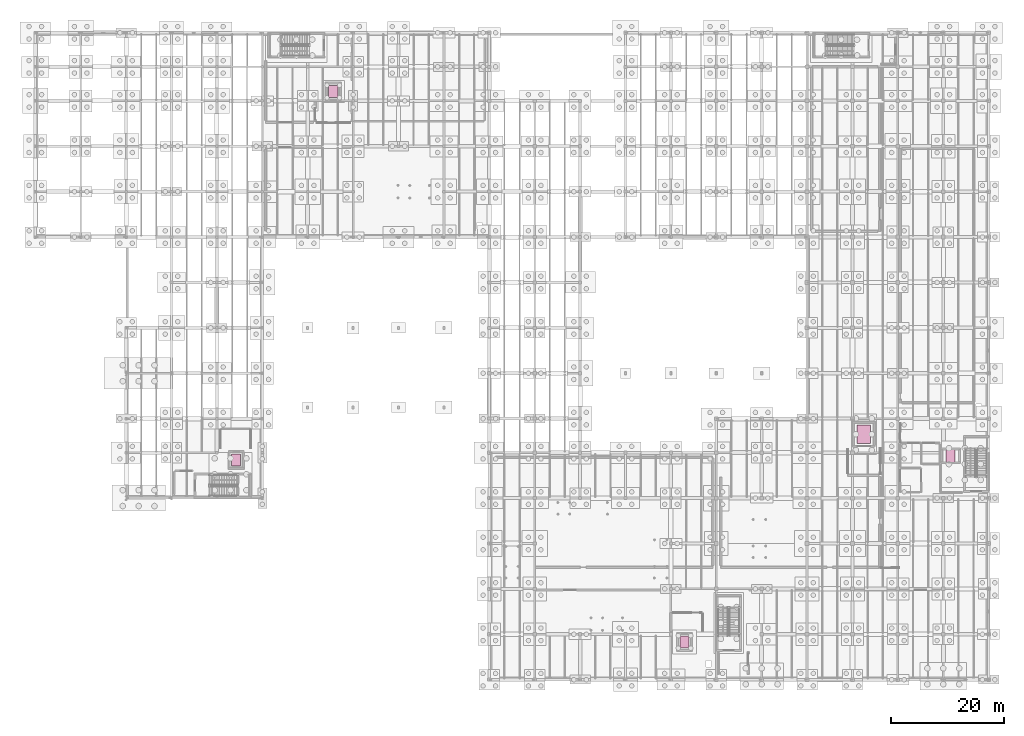
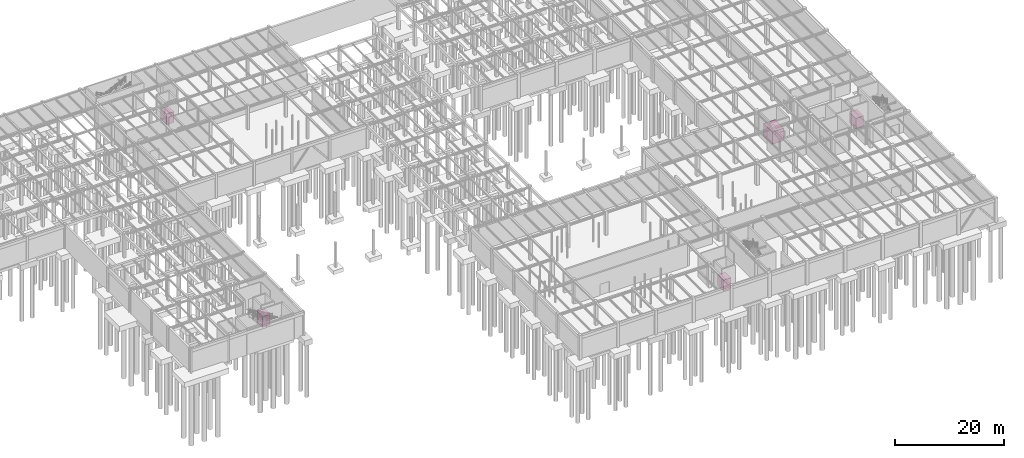
# One storey, part 71 of 71: 5 transport elements.
"""IFC4 building model written with IfcOpenShell, lengths in metres."""

from ifc_helpers import new_model, si_unit, direction, frame, origin, origin_2d, place, context, subcontext, project, spatial, rectangle, extrude, material, type_object, element, save


model = new_model("IFC4")

# Units and contexts
model_context = context("Model", 3, precision=1e-05, world=origin(), true_north=direction((0.0, 1.0)))
body_context = subcontext(model_context, "Body", "Model", "MODEL_VIEW")
ifc_project = project(units=[si_unit("LENGTHUNIT", "METRE"), si_unit("AREAUNIT", "SQUARE_METRE"), si_unit("VOLUMEUNIT", "CUBIC_METRE"), si_unit("PLANEANGLEUNIT", "RADIAN"), si_unit("MASSUNIT", "GRAM", prefix="KILO")], contexts=[model_context])

# Site, building, storey
site_placement = place(None, origin())
site = spatial("IfcSite", under=ifc_project, at=site_placement, CompositionType="ELEMENT")
building_placement = place(site_placement, origin())
building = spatial("IfcBuilding", under=site, at=building_placement, Name="Sundkrona Museum", CompositionType="ELEMENT")
storey_placement = place(building_placement, frame((0.0, 0.0, -5.39990234375)))
storey = spatial("IfcBuildingStorey", under=building, at=storey_placement, Name="B1", CompositionType="ELEMENT", Elevation=-5.39990234375)

# Transport elements
ifc_material_1 = material(Name="Brushed Stainless Steel Lift Car", Category="steel")
transport_element_type_1 = type_object("IfcTransportElementType", Name="LIFT-FF-1600", PredefinedType="ELEVATOR", material=ifc_material_1)
transport_element_1_placement = place(storey_placement, frame((161.300048828125, 39.449951171875, 0.0), z_axis=(0.0, 0.0, 1.0), x_axis=(1.0, 0.0, 0.0)))
element("IfcTransportElement", 1, at=transport_element_1_placement, inside=storey, type_object=transport_element_type_1, Name="Firefighters Passenger Lift PL-1", PredefinedType="ELEVATOR", context=body_context, shape_type="SweptSolid", body=[
    extrude(rectangle(XDim=1.60009765625, YDim=2.39990234375, at=origin_2d()), origin(), (0.0, 0.0, 1.0), 2.39990234375),
])
ifc_material_2 = material(Name="Heavy Stainless Steel Art-Handling Goods Lift Car", Category="steel")
transport_element_type_2 = type_object("IfcTransportElementType", Name="LIFT-GOODS-4500", PredefinedType="ELEVATOR", material=ifc_material_2)
transport_element_2_placement = place(storey_placement, frame((146.0, 43.25, 0.0), z_axis=(0.0, 0.0, 1.0), x_axis=(1.0, 0.0, 0.0)))
element("IfcTransportElement", 2, at=transport_element_2_placement, inside=storey, type_object=transport_element_type_2, Name="Goods Lift", PredefinedType="ELEVATOR", context=body_context, shape_type="SweptSolid", body=[
    extrude(rectangle(XDim=2.39990234375, YDim=3.199951171875, at=origin_2d()), origin(), (0.0, 0.0, 1.0), 2.800048828125),
])
ifc_material_3 = material(Name="Brushed Bronze and Oak Passenger Lift Car", Category="other")
transport_element_type_3 = type_object("IfcTransportElementType", Name="LIFT-PAX-1350", PredefinedType="ELEVATOR", material=ifc_material_3)
for number, where, z_axis, x_axis, name in (
    (3, (114.39990234375, 6.64990234375, 0.0), (0.0, 0.0, 1.0), (1.0, 0.0, 0.0), "Public Gallery Passenger Lift PL-2"),
    (4, (52.5, 103.64990234375, 0.0), (0.0, 0.0, 1.0), (1.0, 0.0, 0.0), "North-West Gallery Passenger Lift PL-3"),
    (5, (35.39990234375, 38.75, 0.0), (0.0, 0.0, 1.0), (1.0, 0.0, 0.0), "West Pavilion Passenger Lift PL-4"),
):
    element("IfcTransportElement", number, at=place(storey_placement, frame(where, z_axis=z_axis, x_axis=x_axis)), inside=storey, type_object=transport_element_type_3, Name=name, PredefinedType="ELEVATOR", context=body_context, shape_type="SweptSolid", body=[
        extrude(rectangle(XDim=1.60009765625, YDim=2.10009765625, at=origin_2d()), origin(), (0.0, 0.0, 1.0), 2.39990234375),
    ])

save(model, "model.ifc")
